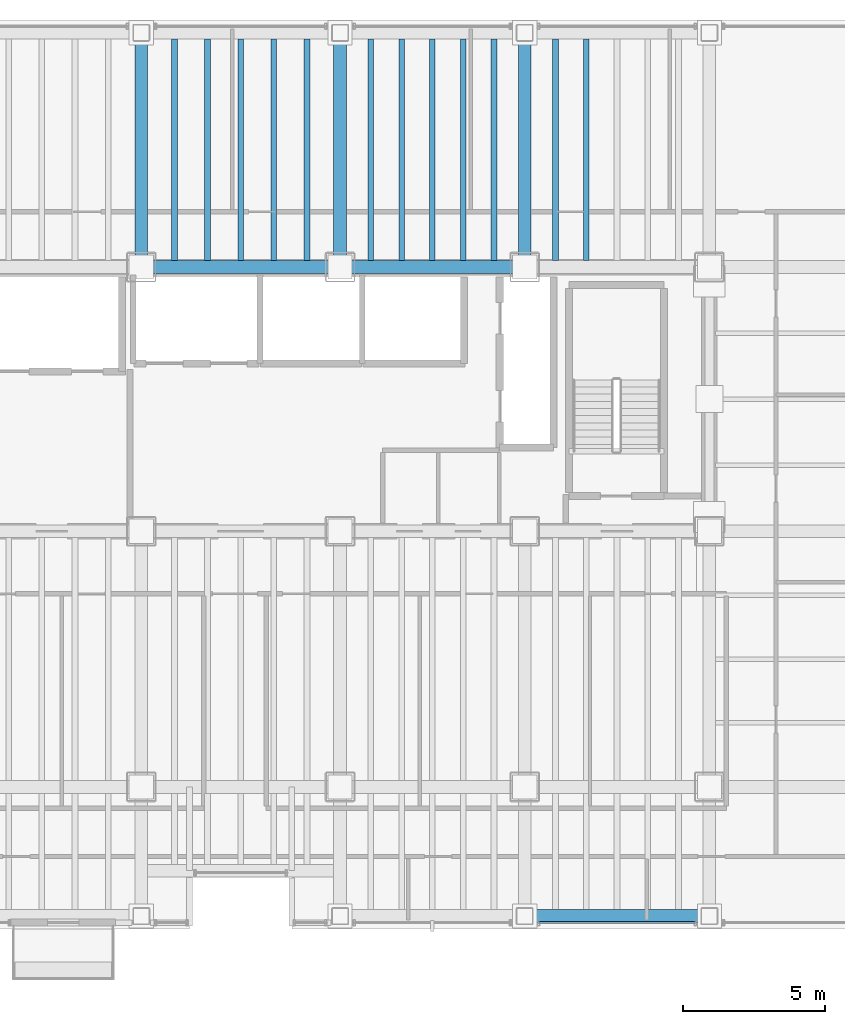
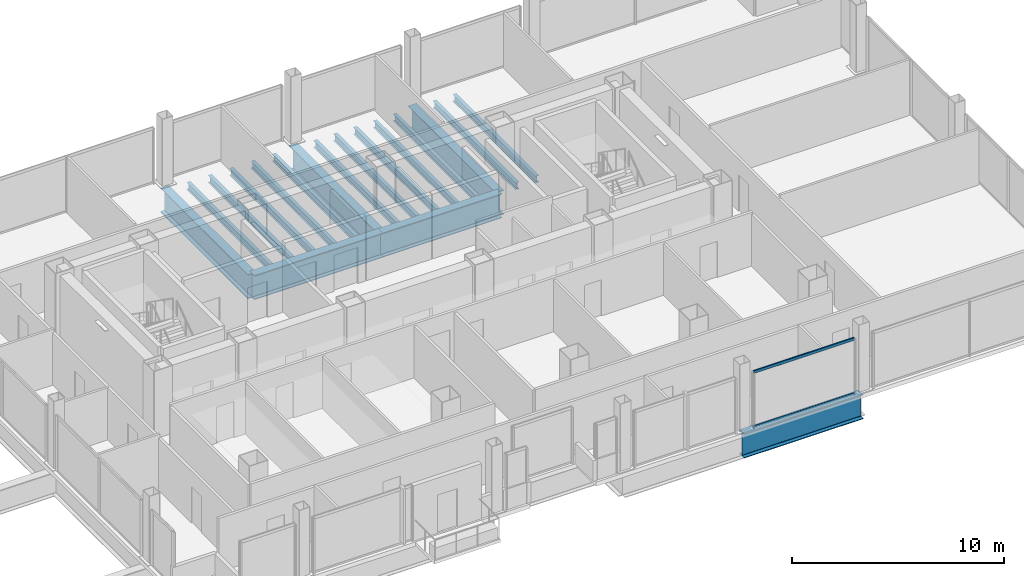
# One storey, part 10 of 23: 18 beams, 2 members, 1 element without a shape of its own.
"""IFC4 building model written with IfcOpenShell, lengths in metres."""

from ifc_helpers import new_model, si_unit, direction, frame, origin, origin_2d, place, context, subcontext, project, spatial, hollow_rectangle, i_section, extrude, material, material_profile, profile_set, type_object, element, aggregate, save


model = new_model("IFC4")

# Units and contexts
model_context = context("Model", 3, precision=1e-05, world=origin(), true_north=direction((0.0, 1.0)))
body_context = subcontext(model_context, "Body", "Model", "MODEL_VIEW")
ifc_project = project(units=[si_unit("LENGTHUNIT", "METRE"), si_unit("AREAUNIT", "SQUARE_METRE"), si_unit("VOLUMEUNIT", "CUBIC_METRE"), si_unit("PLANEANGLEUNIT", "RADIAN"), si_unit("MASSUNIT", "GRAM", prefix="KILO")], contexts=[model_context])

# Site, building, storey
site_placement = place(None, origin())
site = spatial("IfcSite", under=ifc_project, at=site_placement, CompositionType="ELEMENT")
building_placement = place(site_placement, origin())
building = spatial("IfcBuilding", under=site, at=building_placement, Name="Noeulbin Bourse Tower", CompositionType="ELEMENT")
storey_placement = place(building_placement, frame((0.0, 0.0, 53.800048828125)))
storey = spatial("IfcBuildingStorey", under=building, at=storey_placement, Name="L13", CompositionType="ELEMENT", Elevation=53.800048828125)

# Beams
ifc_material_1 = material(Name="Steel S355", Category="steel")
ifc_material_profile_1 = material_profile(ifc_material_1, i_section(OverallWidth=0.199951171875, OverallDepth=0.39990234375, WebThickness=0.008056640625, FlangeThickness=0.012939453125, FilletRadius=0.01611328125, at=origin_2d()), Name="H-400x200x8x13", Category="LoadBearing")
ifc_profile_set_1 = profile_set([ifc_material_profile_1], Name="Steel S355")
beam_type_1 = type_object("IfcBeamType", Name="BM-SEC-400", PredefinedType="BEAM", material=ifc_profile_set_1)
for number, where, z_axis, x_axis, name in (
    (1, (25.166748046875, 38.52490234375, -0.43994140625), (0.0, 1.0, 0.0), (-1.0, 0.0, 0.0), "Tower Composite Joist L13-27"),
    (2, (26.333251953125, 38.52490234375, -0.43994140625), (0.0, 1.0, 0.0), (-1.0, 0.0, 0.0), "Tower Composite Joist L13-30"),
    (3, (27.5, 38.52490234375, -0.43994140625), (0.0, 1.0, 0.0), (-1.0, 0.0, 0.0), "Tower Composite Joist L13-33"),
    (4, (28.666748046875, 38.52490234375, -0.43994140625), (0.0, 1.0, 0.0), (-1.0, 0.0, 0.0), "Tower Composite Joist L13-36"),
    (5, (29.833251953125, 38.52490234375, -0.43994140625), (0.0, 1.0, 0.0), (-1.0, 0.0, 0.0), "Tower Composite Joist L13-39"),
    (6, (32.083251953125, 38.52490234375, -0.43994140625), (0.0, 1.0, 0.0), (-1.0, 0.0, 0.0), "Tower Composite Joist L13-42"),
    (7, (33.166748046875, 38.52490234375, -0.43994140625), (0.0, 1.0, 0.0), (-1.0, 0.0, 0.0), "Tower Composite Joist L13-45"),
    (8, (34.25, 38.52490234375, -0.43994140625), (0.0, 1.0, 0.0), (-1.0, 0.0, 0.0), "Tower Composite Joist L13-48"),
    (9, (35.333251953125, 38.52490234375, -0.43994140625), (0.0, 1.0, 0.0), (-1.0, 0.0, 0.0), "Tower Composite Joist L13-51"),
    (10, (36.416748046875, 38.52490234375, -0.43994140625), (0.0, 1.0, 0.0), (-1.0, 0.0, 0.0), "Tower Composite Joist L13-54"),
    (11, (38.583251953125, 38.52490234375, -0.43994140625), (0.0, 1.0, 0.0), (-1.0, 0.0, 0.0), "Tower Composite Joist L13-57"),
    (12, (39.666748046875, 38.52490234375, -0.43994140625), (0.0, 1.0, 0.0), (-1.0, 0.0, 0.0), "Tower Composite Joist L13-60"),
):
    element("IfcBeam", number, at=place(storey_placement, frame(where, z_axis=z_axis, x_axis=x_axis)), inside=storey, type_object=beam_type_1, Name=name, PredefinedType="BEAM", context=body_context, shape_type="SweptSolid", body=[
        extrude(i_section(OverallWidth=0.199951171875, OverallDepth=0.39990234375, WebThickness=0.008056640625, FlangeThickness=0.012939453125, FilletRadius=0.01611328125, at=origin_2d()), origin(), (0.0, 0.0, 1.0), 7.800048828125),
    ])
ifc_material_2 = material(Name="Steel S460", Category="steel")
ifc_material_profile_2 = material_profile(ifc_material_2, i_section(OverallWidth=0.449951171875, OverallDepth=1.39990234375, WebThickness=0.02392578125, FlangeThickness=0.0400390625, FilletRadius=0.02392578125, at=origin_2d()), Name="PG-1400x450x24x40", Category="LoadBearing")
ifc_profile_set_2 = profile_set([ifc_material_profile_2], Name="Steel S460")
beam_type_2 = type_object("IfcBeamType", Name="BM-TRF-1400", PredefinedType="USERDEFINED", material=ifc_profile_set_2)
beam_1_placement = place(storey_placement, frame((24.0, 38.300048828125, -0.93994140625), z_axis=(1.0, 0.0, 0.0), x_axis=(0.0, 1.0, 0.0)))
element("IfcBeam", 13, at=beam_1_placement, inside=storey, type_object=beam_type_2, Name="Tower Primary Girder EW L13-3.3", ObjectType="GIRDER", PredefinedType="USERDEFINED", context=body_context, shape_type="SweptSolid", body=[
    extrude(i_section(OverallWidth=0.449951171875, OverallDepth=1.39990234375, WebThickness=0.02392578125, FlangeThickness=0.0400390625, FilletRadius=0.02392578125, at=origin_2d()), origin(), (0.0, 0.0, 1.0), 7.0),
])
beam_2_placement = place(storey_placement, frame((31.0, 38.300048828125, -0.93994140625), z_axis=(1.0, 0.0, 0.0), x_axis=(0.0, 1.0, 0.0)))
element("IfcBeam", 14, at=beam_2_placement, inside=storey, type_object=beam_type_2, Name="Tower Primary Girder EW L13-3.4", ObjectType="GIRDER", PredefinedType="USERDEFINED", context=body_context, shape_type="SweptSolid", body=[
    extrude(i_section(OverallWidth=0.449951171875, OverallDepth=1.39990234375, WebThickness=0.02392578125, FlangeThickness=0.0400390625, FilletRadius=0.02392578125, at=origin_2d()), origin(), (0.0, 0.0, 1.0), 6.5),
])
for number, where, z_axis, x_axis, name in (
    (15, (24.0, 38.300048828125, -0.93994140625), (0.0, 1.0, 0.0), (-1.0, 0.0, 0.0), "Tower Primary Girder NS L13-2.4"),
    (16, (31.0, 38.300048828125, -0.93994140625), (0.0, 1.0, 0.0), (-1.0, 0.0, 0.0), "Tower Primary Girder NS L13-3.4"),
    (17, (37.5, 38.300048828125, -0.93994140625), (0.0, 1.0, 0.0), (-1.0, 0.0, 0.0), "Tower Primary Girder NS L13-4.4"),
):
    element("IfcBeam", number, at=place(storey_placement, frame(where, z_axis=z_axis, x_axis=x_axis)), inside=storey, type_object=beam_type_2, Name=name, ObjectType="GIRDER", PredefinedType="USERDEFINED", context=body_context, shape_type="SweptSolid", body=[
        extrude(i_section(OverallWidth=0.449951171875, OverallDepth=1.39990234375, WebThickness=0.02392578125, FlangeThickness=0.0400390625, FilletRadius=0.02392578125, at=origin_2d()), origin(), (0.0, 0.0, 1.0), 8.25),
    ])
beam_3_placement = place(storey_placement, frame((37.5, 15.449951171875, -0.93994140625), z_axis=(1.0, 0.0, 0.0), x_axis=(0.0, 1.0, 0.0)))
element("IfcBeam", 18, at=beam_3_placement, inside=storey, type_object=beam_type_2, Name="South Spandrel L13-4", ObjectType="GIRDER", PredefinedType="USERDEFINED", context=body_context, shape_type="SweptSolid", body=[
    extrude(i_section(OverallWidth=0.449951171875, OverallDepth=1.39990234375, WebThickness=0.02392578125, FlangeThickness=0.0400390625, FilletRadius=0.02392578125, at=origin_2d()), origin(), (0.0, 0.0, 1.0), 6.5),
])

# Curtain wall, members
ifc_material_3 = material(Name="Dark Solar-Control Double Glazing", Category="glass")
curtain_wall_type = type_object("IfcCurtainWallType", Name="CW-SYS-2", PredefinedType="NOTDEFINED", material=ifc_material_3)
curtain_wall_placement = place(storey_placement, origin())
curtain_wall = element("IfcCurtainWall", 19, at=curtain_wall_placement, inside=storey, type_object=curtain_wall_type, Name="Unitised Curtain Wall CW-L13-S3-S3", PredefinedType="NOTDEFINED")
ifc_material_4 = material(Name="Anodised Aluminium 6063-T6", Category="aluminium")
ifc_material_profile_3 = material_profile(ifc_material_4, hollow_rectangle(XDim=0.074951171875, YDim=0.159912109375, WallThickness=0.0048828125, InnerFilletRadius=0.00244140625, OuterFilletRadius=0.0048828125, at=origin_2d()), Name="ALU-TRAN-75x160x5", Category="LoadBearing")
ifc_profile_set_3 = profile_set([ifc_material_profile_3], Name="Anodised Aluminium 6063-T6")
member_type = type_object("IfcMemberType", Name="CW-SYS-2-TRN", PredefinedType="USERDEFINED", material=ifc_profile_set_3)
member_1_placement = place(storey_placement, frame((38.010009765625, 15.219970703125, 0.010009765625), z_axis=(1.0, 0.0, 0.0), x_axis=(0.0, 1.0, 0.0)))
member_1 = element("IfcMember", 20, at=member_1_placement, type_object=member_type, Name="Curtain Wall Transom CW-L13-S3-S3-T00", ObjectType="TRANSOM", PredefinedType="USERDEFINED", context=body_context, shape_type="SweptSolid", body=[
    extrude(hollow_rectangle(XDim=0.074951171875, YDim=0.159912109375, WallThickness=0.0048828125, InnerFilletRadius=0.00244140625, OuterFilletRadius=0.0048828125, at=origin_2d()), origin(), (0.0, 0.0, 1.0), 5.47998046875),
])
member_2_placement = place(storey_placement, frame((38.010009765625, 15.219970703125, 3.169921875), z_axis=(1.0, 0.0, 0.0), x_axis=(0.0, 1.0, 0.0)))
member_2 = element("IfcMember", 21, at=member_2_placement, type_object=member_type, Name="Curtain Wall Transom CW-L13-S3-S3-T01", ObjectType="TRANSOM", PredefinedType="USERDEFINED", context=body_context, shape_type="SweptSolid", body=[
    extrude(hollow_rectangle(XDim=0.074951171875, YDim=0.159912109375, WallThickness=0.0048828125, InnerFilletRadius=0.00244140625, OuterFilletRadius=0.0048828125, at=origin_2d()), origin(), (0.0, 0.0, 1.0), 5.47998046875),
])
aggregate(curtain_wall, [member_1, member_2])

save(model, "model.ifc")
